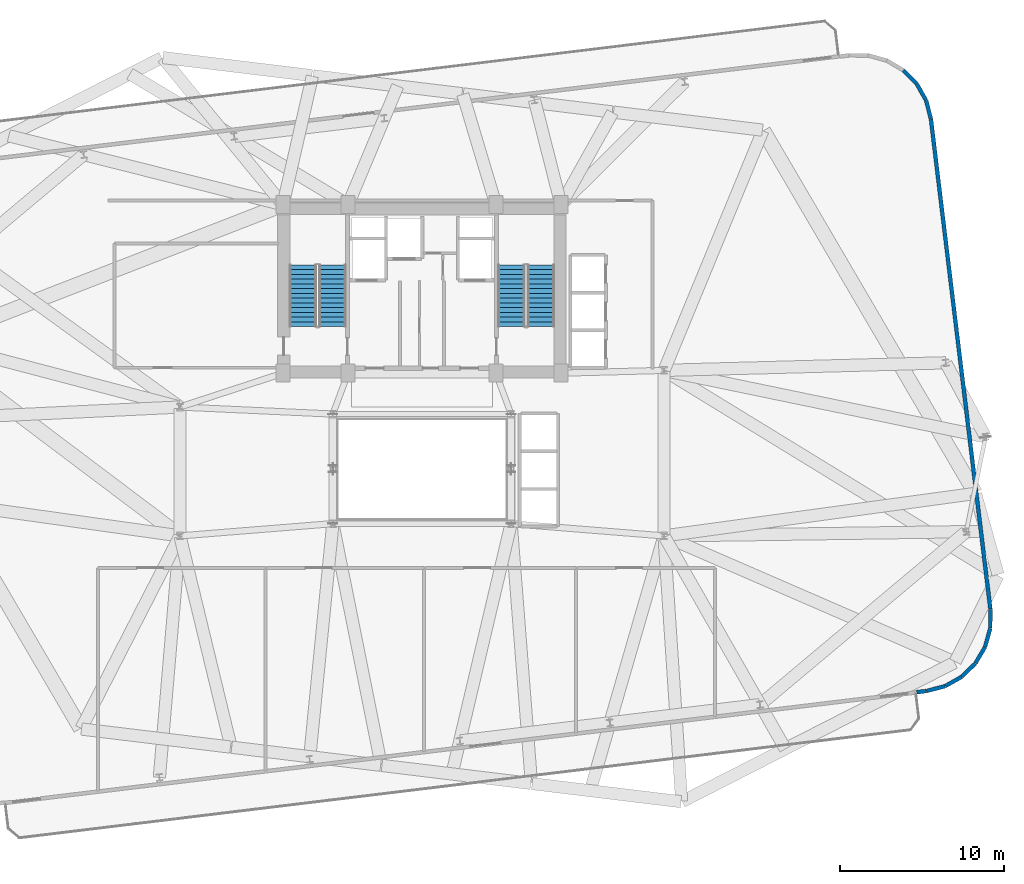
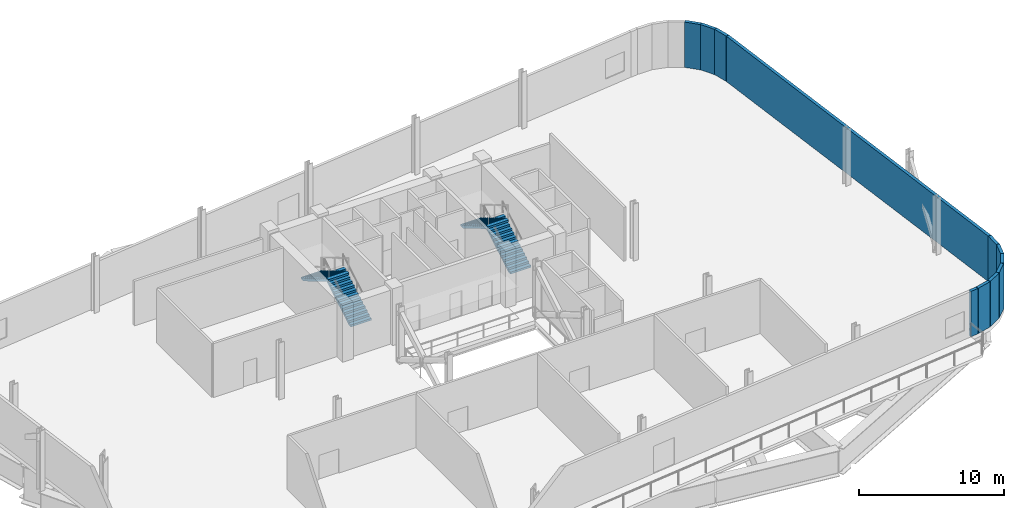
# One storey, part 7 of 11: 11 walls, 4 stair flights, 2 elements without a shape of their own.
"""IFC4 building model written with IfcOpenShell, lengths in metres."""

from ifc_helpers import new_model, si_unit, direction, frame, frame_2d, origin, place, context, subcontext, project, spatial, polyline, rectangle, outline, extrude, material, layer, layer_set, type_object, element, aggregate, save


model = new_model("IFC4")

# Units and contexts
model_context = context("Model", 3, precision=1e-05, world=origin(), true_north=direction((0.0, 1.0)))
body_context = subcontext(model_context, "Body", "Model", "MODEL_VIEW")
ifc_project = project(units=[si_unit("LENGTHUNIT", "METRE"), si_unit("AREAUNIT", "SQUARE_METRE"), si_unit("VOLUMEUNIT", "CUBIC_METRE"), si_unit("PLANEANGLEUNIT", "RADIAN"), si_unit("MASSUNIT", "GRAM", prefix="KILO")], contexts=[model_context])

# Site, building, storey
site_placement = place(None, origin())
site = spatial("IfcSite", under=ifc_project, at=site_placement, CompositionType="ELEMENT")
building_placement = place(site_placement, origin())
building = spatial("IfcBuilding", under=site, at=building_placement, Name="Varnelok Gate Tower", CompositionType="ELEMENT")
storey_placement = place(building_placement, frame((0.0, 0.0, 162.39990234375)))
storey = spatial("IfcBuildingStorey", under=building, at=storey_placement, Name="L41", CompositionType="ELEMENT", Elevation=162.39990234375)

# Walls
ifc_material_1 = material(Name="Concrete C45/55", Category="concrete")
ifc_layer = layer(ifc_material_1, 0.239990234375)
ifc_layer_set = layer_set([ifc_layer], Name="Concrete C45/55")
wall_type = type_object("IfcWallType", Name="EW-PLANT-240", PredefinedType="SOLIDWALL", material=ifc_layer_set)
wall_1_placement = place(storey_placement, frame((69.4521484375, 9.243896484375, 0.0), z_axis=(0.0, 0.0, 1.0), x_axis=(0.992727811402, 0.120380615004, 0.0)))
element("IfcWall", 1, at=wall_1_placement, inside=storey, type_object=wall_type, Name="L41 Perimeter Facade Closure Wall 8", PredefinedType="SOLIDWALL", context=body_context, shape_type="SweptSolid", body=[
    extrude(rectangle(XDim=0.59228515625, YDim=0.239990234375, at=frame_2d((0.296142578125, 0.0))), origin(), (0.0, 0.0, 1.0), 3.830078125),
])
wall_2_placement = place(storey_placement, frame((70.064208984375, 9.321533203125, 0.0), z_axis=(0.0, 0.0, 1.0), x_axis=(0.968564443132, 0.248762777562, 0.0)))
element("IfcWall", 2, at=wall_2_placement, inside=storey, type_object=wall_type, Name="L41 Perimeter Facade Closure Wall 9", PredefinedType="SOLIDWALL", context=body_context, shape_type="SweptSolid", body=[
    extrude(rectangle(XDim=1.152099609375, YDim=0.239990234375, at=frame_2d((0.576171875, 0.0))), origin(), (0.0, 0.0, 1.0), 3.830078125),
])
for number, where, z_axis, x_axis, name in (
    (3, (71.201904296875, 9.62060546875, 0.0), (0.0, 0.0, 1.0), (0.871039337101, 0.491213266538, 0.0), "L41 Perimeter Facade Closure Wall 10"),
    (4, (72.216552734375, 10.199951171875, 0.0), (0.0, 0.0, 1.0), (0.714219239533, 0.69992205129, 0.0), "L41 Perimeter Facade Closure Wall 11"),
):
    element("IfcWall", number, at=place(storey_placement, frame(where, z_axis=z_axis, x_axis=x_axis)), inside=storey, type_object=wall_type, Name=name, PredefinedType="SOLIDWALL", context=body_context, shape_type="SweptSolid", body=[
        extrude(rectangle(XDim=1.14404296875, YDim=0.239990234375, at=frame_2d((0.572021484375, 0.0))), origin(), (0.0, 0.0, 1.0), 3.830078125),
    ])
for number, where, z_axis, x_axis, name in (
    (5, (73.046630859375, 11.022216796875, 0.0), (0.0, 0.0, 1.0), (0.508837126111, 0.860862810842, 0.0), "L41 Perimeter Facade Closure Wall 12"),
    (6, (73.635498046875, 12.03125, 0.0), (0.0, 0.0, 1.0), (0.268854211828, 0.963180882692, 0.0), "L41 Perimeter Facade Closure Wall 13"),
):
    element("IfcWall", number, at=place(storey_placement, frame(where, z_axis=z_axis, x_axis=x_axis)), inside=storey, type_object=wall_type, Name=name, PredefinedType="SOLIDWALL", context=body_context, shape_type="SweptSolid", body=[
        extrude(rectangle(XDim=1.144287109375, YDim=0.239990234375, at=frame_2d((0.572265625, 0.0))), origin(), (0.0, 0.0, 1.0), 3.830078125),
    ])
wall_3_placement = place(storey_placement, frame((73.943359375, 13.158447265625, 0.0), z_axis=(0.0, 0.0, 1.0), x_axis=(0.010171120385, 0.999948272817, 0.0)))
element("IfcWall", 7, at=wall_3_placement, inside=storey, type_object=wall_type, Name="L41 Perimeter Facade Closure Wall 14", PredefinedType="SOLIDWALL", context=body_context, shape_type="SweptSolid", body=[
    extrude(rectangle(XDim=1.152099609375, YDim=0.239990234375, at=frame_2d((0.576171875, 0.0))), origin(), (0.0, 0.0, 1.0), 3.830078125),
])
wall_4_placement = place(storey_placement, frame((73.9521484375, 14.33544921875, 0.0), z_axis=(0.0, 0.0, 1.0), x_axis=(-0.120349499005, 0.99273158411, 0.0)))
element("IfcWall", 8, at=wall_4_placement, inside=storey, type_object=wall_type, Name="L41 Perimeter Facade Closure Wall 15", PredefinedType="SOLIDWALL", context=body_context, shape_type="SweptSolid", body=[
    extrude(rectangle(XDim=30.1591796875, YDim=0.239990234375, at=frame_2d((15.07958984375, 0.0))), origin(), (0.0, 0.0, 1.0), 3.830078125),
])
wall_5_placement = place(storey_placement, frame((70.31640625, 44.2998046875, 0.0), z_axis=(0.0, 0.0, 1.0), x_axis=(-0.249012642315, 0.968500234366, 0.0)))
element("IfcWall", 9, at=wall_5_placement, inside=storey, type_object=wall_type, Name="L41 Perimeter Facade Closure Wall 16", PredefinedType="SOLIDWALL", context=body_context, shape_type="SweptSolid", body=[
    extrude(rectangle(XDim=1.152099609375, YDim=0.239990234375, at=frame_2d((0.576171875, 0.0))), origin(), (0.0, 0.0, 1.0), 3.830078125),
])
for number, where, z_axis, x_axis, name in (
    (10, (70.017333984375, 45.4375, 0.0), (0.0, 0.0, 1.0), (-0.491213266538, 0.871039337101, 0.0), "L41 Perimeter Facade Closure Wall 17"),
    (11, (69.43798828125, 46.4521484375, 0.0), (0.0, 0.0, 1.0), (-0.69992205129, 0.714219239533, 0.0), "L41 Perimeter Facade Closure Wall 18"),
):
    element("IfcWall", number, at=place(storey_placement, frame(where, z_axis=z_axis, x_axis=x_axis)), inside=storey, type_object=wall_type, Name=name, PredefinedType="SOLIDWALL", context=body_context, shape_type="SweptSolid", body=[
        extrude(rectangle(XDim=1.14404296875, YDim=0.239990234375, at=frame_2d((0.572021484375, 0.0))), origin(), (0.0, 0.0, 1.0), 3.830078125),
    ])

# Stair, stair flights
ifc_material_2 = material(Name="Concrete C50/60", Category="concrete")
stair_type = type_object("IfcStairType", Name="STR-CORE-1650", PredefinedType="HALF_TURN_STAIR", material=ifc_material_2)
stair_1_placement = place(storey_placement, origin())
stair_1 = element("IfcStair", 12, at=stair_1_placement, inside=storey, type_object=stair_type, Name="L41 Exit Stair ST-1", PredefinedType="HALF_TURN_STAIR")
stair_flight_type = type_object("IfcStairFlightType", Name="SFL-CORE-1650", PredefinedType="STRAIGHT", material=ifc_material_2)
stair_flight_1_placement = place(storey_placement, frame((33.72509765625, 31.60009765625, 0.0), z_axis=(0.0, 0.0, 1.0), x_axis=(0.0, 1.0, 0.0)))
stair_flight_1 = element("IfcStairFlight", 13, at=stair_flight_1_placement, type_object=stair_flight_type, Name="ST-1 flight 1", NumberOfRisers=14, NumberOfTreads=13, PredefinedType="STRAIGHT", RiserHeight=0.171428571, TreadLength=0.29, context=body_context, shape_type="SweptSolid", body=[
    extrude(outline(polyline([(0.0, 0.0), (0.0, 0.17138671875), (0.2900390625, 0.17138671875), (0.2900390625, 0.3427734375), (0.580078125, 0.3427734375), (0.580078125, 0.514404296875), (0.8701171875, 0.514404296875), (0.8701171875, 0.685791015625), (1.159912109375, 0.685791015625), (1.159912109375, 0.857177734375), (1.449951171875, 0.857177734375), (1.449951171875, 1.028564453125), (1.739990234375, 1.028564453125), (1.739990234375, 1.199951171875), (2.030029296875, 1.199951171875), (2.030029296875, 1.371337890625), (2.320068359375, 1.371337890625), (2.320068359375, 1.54296875), (2.610107421875, 1.54296875), (2.610107421875, 1.71435546875), (2.89990234375, 1.71435546875), (2.89990234375, 1.8857421875), (3.18994140625, 1.8857421875), (3.18994140625, 2.05712890625), (3.47998046875, 2.05712890625), (3.47998046875, 2.228515625), (3.77001953125, 2.228515625), (3.77001953125, 2.39990234375), (3.77001953125, 2.054443359375), (0.294677734375, 0.0), (0.0, 0.0)])), frame((0.0, 0.824951171875, 0.0), z_axis=(0.0, -1.0, 0.0), x_axis=(1.0, 0.0, 0.0)), (0.0, 0.0, 1.0), 1.64990234375),
])
stair_flight_2_placement = place(storey_placement, frame((31.925048828125, 35.3701171875, 2.400146484375), z_axis=(0.0, 0.0, 1.0), x_axis=(0.0, -1.0, 0.0)))
stair_flight_2 = element("IfcStairFlight", 14, at=stair_flight_2_placement, type_object=stair_flight_type, Name="ST-1 flight 2", NumberOfRisers=14, NumberOfTreads=13, PredefinedType="STRAIGHT", RiserHeight=0.171428571, TreadLength=0.29, context=body_context, shape_type="SweptSolid", body=[
    extrude(outline(polyline([(0.0, 0.0), (0.0, 0.17138671875), (0.2900390625, 0.17138671875), (0.2900390625, 0.3427734375), (0.580078125, 0.3427734375), (0.580078125, 0.514404296875), (0.8701171875, 0.514404296875), (0.8701171875, 0.685791015625), (1.159912109375, 0.685791015625), (1.159912109375, 0.857177734375), (1.449951171875, 0.857177734375), (1.449951171875, 1.028564453125), (1.739990234375, 1.028564453125), (1.739990234375, 1.199951171875), (2.030029296875, 1.199951171875), (2.030029296875, 1.371337890625), (2.320068359375, 1.371337890625), (2.320068359375, 1.54296875), (2.610107421875, 1.54296875), (2.610107421875, 1.71435546875), (2.89990234375, 1.71435546875), (2.89990234375, 1.8857421875), (3.18994140625, 1.8857421875), (3.18994140625, 2.05712890625), (3.47998046875, 2.05712890625), (3.47998046875, 2.228515625), (3.77001953125, 2.228515625), (3.77001953125, 2.39990234375), (3.77001953125, 2.054443359375), (0.294677734375, 0.0), (0.0, 0.0)])), frame((0.0, 0.824951171875, 0.0), z_axis=(0.0, -1.0, 0.0), x_axis=(1.0, 0.0, 0.0)), (0.0, 0.0, 1.0), 1.64990234375),
])
aggregate(stair_1, [stair_flight_1, stair_flight_2])

stair_2_placement = place(storey_placement, origin())
stair_2 = element("IfcStair", 15, at=stair_2_placement, inside=storey, type_object=stair_type, Name="L41 Exit Stair ST-2", PredefinedType="HALF_TURN_STAIR")
stair_flight_3_placement = place(storey_placement, frame((46.47509765625, 31.60009765625, 0.0), z_axis=(0.0, 0.0, 1.0), x_axis=(0.0, 1.0, 0.0)))
stair_flight_3 = element("IfcStairFlight", 16, at=stair_flight_3_placement, type_object=stair_flight_type, Name="ST-2 flight 1", NumberOfRisers=14, NumberOfTreads=13, PredefinedType="STRAIGHT", RiserHeight=0.171428571, TreadLength=0.29, context=body_context, shape_type="SweptSolid", body=[
    extrude(outline(polyline([(0.0, 0.0), (0.0, 0.17138671875), (0.2900390625, 0.17138671875), (0.2900390625, 0.3427734375), (0.580078125, 0.3427734375), (0.580078125, 0.514404296875), (0.8701171875, 0.514404296875), (0.8701171875, 0.685791015625), (1.159912109375, 0.685791015625), (1.159912109375, 0.857177734375), (1.449951171875, 0.857177734375), (1.449951171875, 1.028564453125), (1.739990234375, 1.028564453125), (1.739990234375, 1.199951171875), (2.030029296875, 1.199951171875), (2.030029296875, 1.371337890625), (2.320068359375, 1.371337890625), (2.320068359375, 1.54296875), (2.610107421875, 1.54296875), (2.610107421875, 1.71435546875), (2.89990234375, 1.71435546875), (2.89990234375, 1.8857421875), (3.18994140625, 1.8857421875), (3.18994140625, 2.05712890625), (3.47998046875, 2.05712890625), (3.47998046875, 2.228515625), (3.77001953125, 2.228515625), (3.77001953125, 2.39990234375), (3.77001953125, 2.054443359375), (0.294677734375, 0.0), (0.0, 0.0)])), frame((0.0, 0.824951171875, 0.0), z_axis=(0.0, -1.0, 0.0), x_axis=(1.0, 0.0, 0.0)), (0.0, 0.0, 1.0), 1.64990234375),
])
stair_flight_4_placement = place(storey_placement, frame((44.675048828125, 35.3701171875, 2.400146484375), z_axis=(0.0, 0.0, 1.0), x_axis=(0.0, -1.0, 0.0)))
stair_flight_4 = element("IfcStairFlight", 17, at=stair_flight_4_placement, type_object=stair_flight_type, Name="ST-2 flight 2", NumberOfRisers=14, NumberOfTreads=13, PredefinedType="STRAIGHT", RiserHeight=0.171428571, TreadLength=0.29, context=body_context, shape_type="SweptSolid", body=[
    extrude(outline(polyline([(0.0, 0.0), (0.0, 0.17138671875), (0.2900390625, 0.17138671875), (0.2900390625, 0.3427734375), (0.580078125, 0.3427734375), (0.580078125, 0.514404296875), (0.8701171875, 0.514404296875), (0.8701171875, 0.685791015625), (1.159912109375, 0.685791015625), (1.159912109375, 0.857177734375), (1.449951171875, 0.857177734375), (1.449951171875, 1.028564453125), (1.739990234375, 1.028564453125), (1.739990234375, 1.199951171875), (2.030029296875, 1.199951171875), (2.030029296875, 1.371337890625), (2.320068359375, 1.371337890625), (2.320068359375, 1.54296875), (2.610107421875, 1.54296875), (2.610107421875, 1.71435546875), (2.89990234375, 1.71435546875), (2.89990234375, 1.8857421875), (3.18994140625, 1.8857421875), (3.18994140625, 2.05712890625), (3.47998046875, 2.05712890625), (3.47998046875, 2.228515625), (3.77001953125, 2.228515625), (3.77001953125, 2.39990234375), (3.77001953125, 2.054443359375), (0.294677734375, 0.0), (0.0, 0.0)])), frame((0.0, 0.824951171875, 0.0), z_axis=(0.0, -1.0, 0.0), x_axis=(1.0, 0.0, 0.0)), (0.0, 0.0, 1.0), 1.64990234375),
])
aggregate(stair_2, [stair_flight_3, stair_flight_4])

save(model, "model.ifc")
